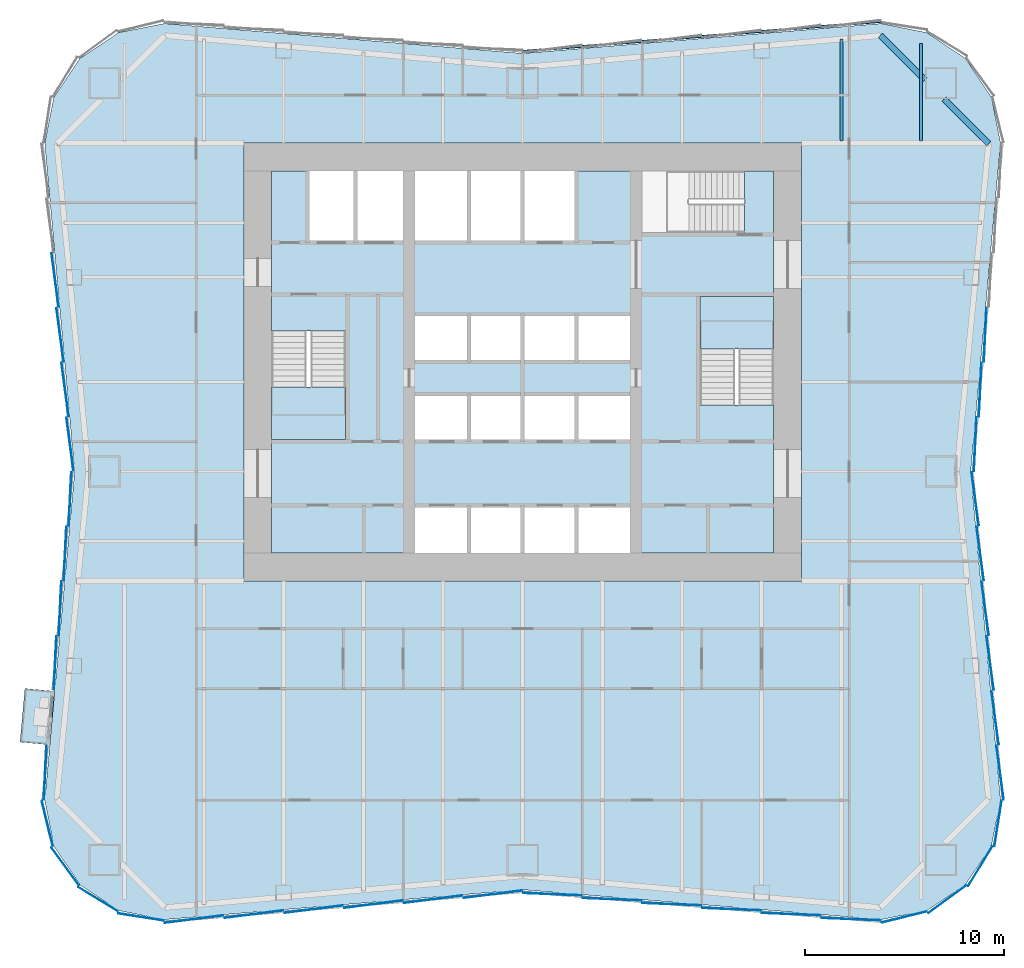
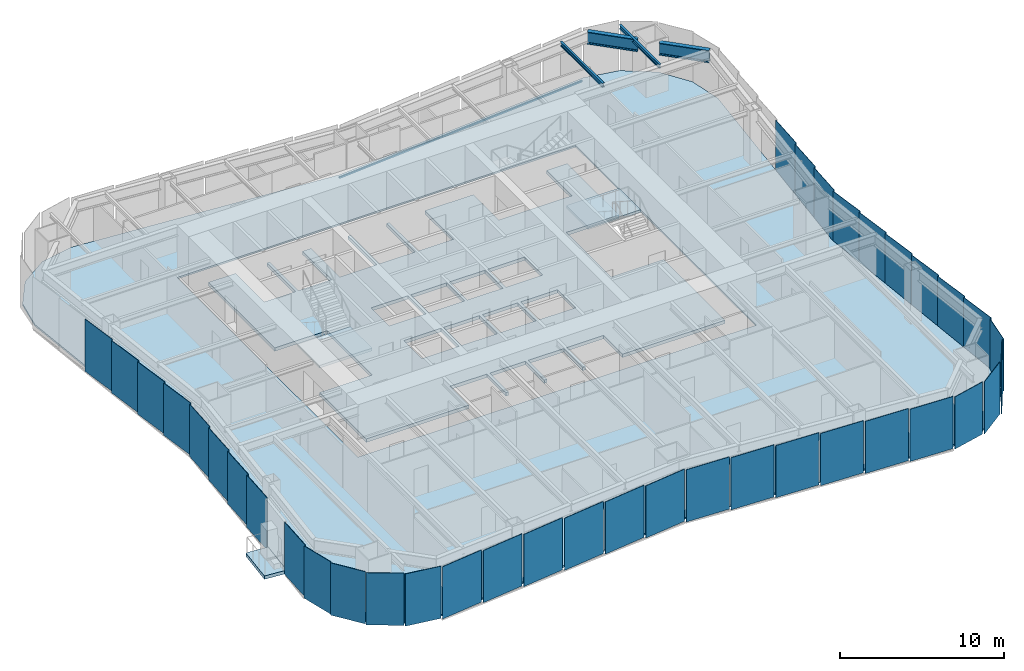
# One storey, part 2 of 9: 38 plates, 5 slabs, 4 beams, 1 member, 8 elements without a shape of their own.
"""IFC4 building model written with IfcOpenShell, lengths in metres."""

from ifc_helpers import new_model, si_unit, direction, frame, origin, origin_2d, place, context, subcontext, project, spatial, polyline, rectangle, i_section, outline, extrude, material, layer, layer_set, material_profile, profile_set, type_object, element, aggregate, save


model = new_model("IFC4")

# Units and contexts
model_context = context("Model", 3, precision=1e-05, world=origin(), true_north=direction((0.0, 1.0)))
body_context = subcontext(model_context, "Body", "Model", "MODEL_VIEW")
ifc_project = project(units=[si_unit("LENGTHUNIT", "METRE"), si_unit("AREAUNIT", "SQUARE_METRE"), si_unit("VOLUMEUNIT", "CUBIC_METRE"), si_unit("PLANEANGLEUNIT", "RADIAN"), si_unit("MASSUNIT", "GRAM", prefix="KILO")], contexts=[model_context])

# Site, building, storey
site_placement = place(None, origin())
site = spatial("IfcSite", under=ifc_project, at=site_placement, CompositionType="ELEMENT")
building_placement = place(site_placement, origin())
building = spatial("IfcBuilding", under=site, at=building_placement, Name="Verdant Reach Tower", CompositionType="ELEMENT")
storey_placement = place(building_placement, frame((0.0, 0.0, 34.0)))
storey = spatial("IfcBuildingStorey", under=building, at=storey_placement, Name="L07", CompositionType="ELEMENT", Elevation=34.0)

# Curtain wall, member
ifc_material_1 = material(Name="Anodised aluminium", Category="aluminium")
curtain_wall_type = type_object("IfcCurtainWallType", Name="EN-CW SYSTEM Z0", PredefinedType="NOTDEFINED", material=ifc_material_1)
curtain_wall_1_placement = place(storey_placement, origin())
curtain_wall_1 = element("IfcCurtainWall", 1, at=curtain_wall_1_placement, inside=storey, type_object=curtain_wall_type, Name="Curtain wall north, L07", PredefinedType="NOTDEFINED")
ifc_material_profile_1 = material_profile(ifc_material_1, rectangle(XDim=0.10009765625, YDim=0.1201171875, at=origin_2d()), Name="Transom 120x100")
ifc_profile_set_1 = profile_set([ifc_material_profile_1], Name="Anodised aluminium")
member_type = type_object("IfcMemberType", Name="EN-TRANSOM Z0", PredefinedType="USERDEFINED", material=ifc_profile_set_1)
member_placement = place(storey_placement, frame((17.975830078125, 45.097412109375, -0.2900390625), z_axis=(-0.996548656072, -0.083010698588, 0.0), x_axis=(0.083010698588, -0.996548656072, 0.0)))
member = element("IfcMember", 2, at=member_placement, type_object=member_type, Name="Transom north face part 1 1.1, L07", ObjectType="TRANSOM", PredefinedType="USERDEFINED", context=body_context, shape_type="SweptSolid", body=[
    extrude(rectangle(XDim=0.10009765625, YDim=0.1201171875, at=origin_2d()), origin(), (0.0, 0.0, 1.0), 18.00830078125),
])
aggregate(curtain_wall_1, [member])

# Beams
ifc_material_2 = material(Name="Steel S355", Category="steel")
ifc_material_profile_2 = material_profile(ifc_material_2, i_section(OverallWidth=0.14990234375, OverallDepth=0.300048828125, WebThickness=0.007080078125, FlangeThickness=0.0107421875, FilletRadius=0.014892578125, at=origin_2d()), Name="IPE 300")
ifc_profile_set_2 = profile_set([ifc_material_profile_2], Name="Steel S355")
beam_type_1 = type_object("IfcBeamType", Name="ST-JOIST-IPE300", PredefinedType="JOIST", material=ifc_profile_set_2)
beam_1_placement = place(storey_placement, frame((16.0, 39.10009765625, 3.719970703125), z_axis=(0.0, 1.0, 0.0), x_axis=(-1.0, 0.0, 0.0)))
element("IfcBeam", 3, at=beam_1_placement, inside=storey, type_object=beam_type_1, Name="Floor joist, L07", PredefinedType="JOIST", context=body_context, shape_type="SweptSolid", body=[
    extrude(i_section(OverallWidth=0.14990234375, OverallDepth=0.300048828125, WebThickness=0.007080078125, FlangeThickness=0.0107421875, FilletRadius=0.014892578125, at=origin_2d()), origin(), (0.0, 0.0, 1.0), 5.131103515625),
])
beam_2_placement = place(storey_placement, frame((20.0, 39.10009765625, 3.719970703125), z_axis=(0.0, 1.0, 0.0), x_axis=(-1.0, 0.0, 0.0)))
element("IfcBeam", 4, at=beam_2_placement, inside=storey, type_object=beam_type_1, Name="Floor joist, L07", PredefinedType="JOIST", context=body_context, shape_type="SweptSolid", body=[
    extrude(i_section(OverallWidth=0.14990234375, OverallDepth=0.300048828125, WebThickness=0.007080078125, FlangeThickness=0.0107421875, FilletRadius=0.014892578125, at=origin_2d()), origin(), (0.0, 0.0, 1.0), 4.890380859375),
])
ifc_material_profile_3 = material_profile(ifc_material_2, i_section(OverallWidth=0.302001953125, OverallDepth=0.909912109375, WebThickness=0.02099609375, FlangeThickness=0.0400390625, FilletRadius=0.030029296875, at=origin_2d()), Name="HEM 900")
ifc_profile_set_3 = profile_set([ifc_material_profile_3], Name="Steel S355")
beam_type_2 = type_object("IfcBeamType", Name="ST-SPANDREL-HEM900", PredefinedType="SPANDREL", material=ifc_profile_set_3)
beam_3_placement = place(storey_placement, frame((17.9658203125, 44.39501953125, 3.4150390625), z_axis=(0.707222697162, -0.706990846206, 0.0), x_axis=(0.706990846206, 0.707222697162, 0.0)))
element("IfcBeam", 5, at=beam_3_placement, inside=storey, type_object=beam_type_2, Name="Edge beam, L07", PredefinedType="SPANDREL", context=body_context, shape_type="SweptSolid", body=[
    extrude(i_section(OverallWidth=0.302001953125, OverallDepth=0.909912109375, WebThickness=0.02099609375, FlangeThickness=0.0400390625, FilletRadius=0.030029296875, at=origin_2d()), origin(), (0.0, 0.0, 1.0), 3.158935546875),
])
beam_4_placement = place(storey_placement, frame((21.161865234375, 41.199951171875, 3.4150390625), z_axis=(0.70722277322, -0.706990770123, 0.0), x_axis=(0.706990770123, 0.70722277322, 0.0)))
element("IfcBeam", 6, at=beam_4_placement, inside=storey, type_object=beam_type_2, Name="Edge beam, L07", PredefinedType="SPANDREL", context=body_context, shape_type="SweptSolid", body=[
    extrude(i_section(OverallWidth=0.302001953125, OverallDepth=0.909912109375, WebThickness=0.02099609375, FlangeThickness=0.0400390625, FilletRadius=0.030029296875, at=origin_2d()), origin(), (0.0, 0.0, 1.0), 3.156982421875),
])

# Stair, slab
ifc_material_3 = material(Name="Concrete C40/50", Category="concrete")
stair_type = type_object("IfcStairType", Name="CO-STAIR", PredefinedType="HALF_TURN_STAIR", material=ifc_material_3)
stair_1_placement = place(storey_placement, origin())
stair_1 = element("IfcStair", 7, at=stair_1_placement, inside=storey, type_object=stair_type, Name="L07 Exit stair 1", PredefinedType="HALF_TURN_STAIR")
ifc_layer_1 = layer(ifc_material_3, 0.199951171875)
ifc_layer_set_1 = layer_set([ifc_layer_1], Name="CO-STAIR-LANDING")
slab_type_1 = type_object("IfcSlabType", Name="CO-STAIR-LANDING", PredefinedType="LANDING", material=ifc_layer_set_1)
slab_1_placement = place(storey_placement, frame((0.0, 0.0, 1.800048828125)))
slab_1 = element("IfcSlab", 8, at=slab_1_placement, type_object=slab_type_1, Name="ST-1 landing 1", PredefinedType="LANDING", context=body_context, shape_type="SweptSolid", body=[
    extrude(outline(polyline([(-12.60009765625, 26.75), (-12.60009765625, 24.10009765625), (-8.89990234375, 24.10009765625), (-8.89990234375, 26.75), (-12.60009765625, 26.75)])), origin(), (0.0, 0.0, 1.0), 0.199951171875),
])
aggregate(stair_1, [slab_1])

stair_2_placement = place(storey_placement, origin())
stair_2 = element("IfcStair", 9, at=stair_2_placement, inside=storey, type_object=stair_type, Name="L07 Exit stair 2", PredefinedType="HALF_TURN_STAIR")
slab_2_placement = place(storey_placement, frame((0.0, 0.0, 1.800048828125)))
slab_2 = element("IfcSlab", 10, at=slab_2_placement, type_object=slab_type_1, Name="ST-2 landing 1", PredefinedType="LANDING", context=body_context, shape_type="SweptSolid", body=[
    extrude(outline(polyline([(12.60009765625, 28.64990234375), (12.60009765625, 31.300048828125), (8.89990234375, 31.300048828125), (8.89990234375, 28.64990234375), (12.60009765625, 28.64990234375)])), origin(), (0.0, 0.0, 1.0), 0.199951171875),
])
aggregate(stair_2, [slab_2])

# Slab
ifc_material_4 = material(Name="Concrete C35/45", Category="concrete")
ifc_layer_2 = layer(ifc_material_4, 0.25)
ifc_layer_set_2 = layer_set([ifc_layer_2], Name="EN-BALCONY SLAB")
slab_type_2 = type_object("IfcSlabType", Name="EN-BALCONY SLAB", PredefinedType="FLOOR", material=ifc_layer_set_2)
slab_3_placement = place(storey_placement, frame((0.0, 0.0, -0.25)))
element("IfcSlab", 11, at=slab_3_placement, inside=storey, type_object=slab_type_2, Name="Balcony slab 1, L07", PredefinedType="FLOOR", context=body_context, shape_type="SweptSolid", body=[
    extrude(outline(polyline([(-23.502685546875, 11.47021484375), (-23.747314453125, 8.77978515625), (-25.2412109375, 8.915771484375), (-24.99658203125, 11.60595703125), (-23.502685546875, 11.47021484375)])), origin(), (0.0, 0.0, 1.0), 0.25),
])

# Curtain wall, plates
curtain_wall_2_placement = place(storey_placement, origin())
curtain_wall_2 = element("IfcCurtainWall", 12, at=curtain_wall_2_placement, inside=storey, type_object=curtain_wall_type, Name="Curtain wall south-east corner, L07", PredefinedType="NOTDEFINED")
ifc_material_5 = material(Name="Tinted glass with champagne spandrel", Category="glass")
ifc_layer_3 = layer(ifc_material_5, 0.031982421875)
ifc_layer_set_3 = layer_set([ifc_layer_3], Name="EN-PANEL CHAMPAGNE")
plate_type_1 = type_object("IfcPlateType", Name="EN-PANEL CHAMPAGNE", PredefinedType="CURTAIN_PANEL", material=ifc_layer_set_3)
plate_1_placement = place(storey_placement, frame((21.32373046875, 1.025390625, -0.22998046875), z_axis=(0.0, 0.0, 1.0), x_axis=(0.807456745624, 0.589926778461, 0.0)))
plate_1 = element("IfcPlate", 13, at=plate_1_placement, type_object=plate_type_1, Name="Glass panel south-east corner 2.1, L07", PredefinedType="CURTAIN_PANEL", context=body_context, shape_type="SweptSolid", body=[
    extrude(rectangle(XDim=2.32421875, YDim=0.031982421875, at=origin_2d()), origin(), (0.0, 0.0, 1.0), 3.8798828125),
])
plate_2_placement = place(storey_placement, frame((22.974609375, 2.67626953125, -0.22998046875), z_axis=(0.0, 0.0, 1.0), x_axis=(0.520291583159, 0.853988681713, 0.0)))
plate_2 = element("IfcPlate", 14, at=plate_2_placement, type_object=plate_type_1, Name="Glass panel south-east corner 3.1, L07", PredefinedType="CURTAIN_PANEL", context=body_context, shape_type="SweptSolid", body=[
    extrude(rectangle(XDim=2.32421875, YDim=0.031982421875, at=origin_2d()), origin(), (0.0, 0.0, 1.0), 3.8798828125),
])
plate_3_placement = place(storey_placement, frame((23.86767578125, 4.830078125, -0.22998046875), z_axis=(0.0, 0.0, 1.0), x_axis=(0.154210737778, 0.988037979206, 0.0)))
plate_3 = element("IfcPlate", 15, at=plate_3_placement, type_object=plate_type_1, Name="Glass panel south-east corner 4.1, L07", PredefinedType="CURTAIN_PANEL", context=body_context, shape_type="SweptSolid", body=[
    extrude(rectangle(XDim=2.31884765625, YDim=0.031982421875, at=origin_2d()), origin(), (0.0, 0.0, 1.0), 3.8798828125),
])

curtain_wall_3_placement = place(storey_placement, origin())
curtain_wall_3 = element("IfcCurtainWall", 16, at=curtain_wall_3_placement, inside=storey, type_object=curtain_wall_type, Name="Curtain wall east, L07", PredefinedType="NOTDEFINED")
plate_4_placement = place(storey_placement, frame((23.974609375, 7.376953125, -0.22998046875), z_axis=(0.0, 0.0, 1.0), x_axis=(-0.131792939527, 0.991277267514, 0.0)))
plate_4 = element("IfcPlate", 17, at=plate_4_placement, type_object=plate_type_1, Name="Glass panel east face part 1 1.1, L07", PredefinedType="CURTAIN_PANEL", context=body_context, shape_type="SweptSolid", body=[
    extrude(rectangle(XDim=2.7197265625, YDim=0.031982421875, at=origin_2d()), origin(), (0.0, 0.0, 1.0), 3.8798828125),
])
plate_5_placement = place(storey_placement, frame((23.724609375, 10.134033203125, -0.22998046875), z_axis=(0.0, 0.0, 1.0), x_axis=(-0.132160009881, 0.99122839537, 0.0)))
plate_5 = element("IfcPlate", 18, at=plate_5_placement, type_object=plate_type_1, Name="Glass panel east face part 1 2.1, L07", PredefinedType="CURTAIN_PANEL", context=body_context, shape_type="SweptSolid", body=[
    extrude(rectangle(XDim=2.705322265625, YDim=0.031982421875, at=origin_2d()), origin(), (0.0, 0.0, 1.0), 3.8798828125),
])
plate_6_placement = place(storey_placement, frame((22.974609375, 26.615966796875, -0.22998046875), z_axis=(0.0, 0.0, 1.0), x_axis=(0.04875265175, 0.998810882473, 0.0)))
plate_6 = element("IfcPlate", 19, at=plate_6_placement, type_object=plate_type_1, Name="Glass panel east face part 2 2.1, L07", PredefinedType="CURTAIN_PANEL", context=body_context, shape_type="SweptSolid", body=[
    extrude(rectangle(XDim=2.705322265625, YDim=0.031982421875, at=origin_2d()), origin(), (0.0, 0.0, 1.0), 3.8798828125),
])
plate_7_placement = place(storey_placement, frame((23.224609375, 29.365966796875, -0.22998046875), z_axis=(0.0, 0.0, 1.0), x_axis=(0.04875265175, 0.998810882473, 0.0)))
plate_7 = element("IfcPlate", 20, at=plate_7_placement, type_object=plate_type_1, Name="Glass panel east face part 2 3.1, L07", PredefinedType="CURTAIN_PANEL", context=body_context, shape_type="SweptSolid", body=[
    extrude(rectangle(XDim=2.705322265625, YDim=0.031982421875, at=origin_2d()), origin(), (0.0, 0.0, 1.0), 3.8798828125),
])

curtain_wall_4_placement = place(storey_placement, origin())
curtain_wall_4 = element("IfcCurtainWall", 21, at=curtain_wall_4_placement, inside=storey, type_object=curtain_wall_type, Name="Curtain wall west, L07", PredefinedType="NOTDEFINED")
plate_8_placement = place(storey_placement, frame((-23.224609375, 29.365966796875, -0.22998046875), z_axis=(0.0, 0.0, 1.0), x_axis=(0.132160009881, -0.99122839537, 0.0)))
plate_8 = element("IfcPlate", 22, at=plate_8_placement, type_object=plate_type_1, Name="Glass panel west face part 1 4.1, L07", PredefinedType="CURTAIN_PANEL", context=body_context, shape_type="SweptSolid", body=[
    extrude(rectangle(XDim=2.705322265625, YDim=0.031982421875, at=origin_2d()), origin(), (0.0, 0.0, 1.0), 3.8798828125),
])
plate_9_placement = place(storey_placement, frame((-22.974609375, 26.615966796875, -0.22998046875), z_axis=(0.0, 0.0, 1.0), x_axis=(0.132160009881, -0.99122839537, 0.0)))
plate_9 = element("IfcPlate", 23, at=plate_9_placement, type_object=plate_type_1, Name="Glass panel west face part 1 5.1, L07", PredefinedType="CURTAIN_PANEL", context=body_context, shape_type="SweptSolid", body=[
    extrude(rectangle(XDim=2.705322265625, YDim=0.031982421875, at=origin_2d()), origin(), (0.0, 0.0, 1.0), 3.8798828125),
])
plate_10_placement = place(storey_placement, frame((-22.724853515625, 23.870361328125, -0.22998046875), z_axis=(0.0, 0.0, 1.0), x_axis=(0.132307913434, -0.991208664229, 0.0)))
plate_10 = element("IfcPlate", 24, at=plate_10_placement, type_object=plate_type_1, Name="Glass panel west face part 1 6.1, L07", PredefinedType="CURTAIN_PANEL", context=body_context, shape_type="SweptSolid", body=[
    extrude(rectangle(XDim=2.6962890625, YDim=0.031982421875, at=origin_2d()), origin(), (0.0, 0.0, 1.0), 3.8798828125),
])
plate_11_placement = place(storey_placement, frame((-23.974609375, 7.376953125, -0.22998046875), z_axis=(0.0, 0.0, 1.0), x_axis=(-0.048382779248, -0.998828867561, 0.0)))
plate_11 = element("IfcPlate", 25, at=plate_11_placement, type_object=plate_type_1, Name="Glass panel west face part 2 6.1, L07", PredefinedType="CURTAIN_PANEL", context=body_context, shape_type="SweptSolid", body=[
    extrude(rectangle(XDim=2.7197265625, YDim=0.031982421875, at=origin_2d()), origin(), (0.0, 0.0, 1.0), 3.8798828125),
])

# Curtain wall, plate
curtain_wall_5_placement = place(storey_placement, origin())
curtain_wall_5 = element("IfcCurtainWall", 26, at=curtain_wall_5_placement, inside=storey, type_object=curtain_wall_type, Name="Curtain wall south-west corner, L07", PredefinedType="NOTDEFINED")
plate_12_placement = place(storey_placement, frame((-19.169921875, 0.13232421875, -0.22998046875), z_axis=(0.0, 0.0, 1.0), x_axis=(0.98803452381, -0.154232875093, 0.0)))
plate_12 = element("IfcPlate", 27, at=plate_12_placement, type_object=plate_type_1, Name="Glass panel south-west corner 4.1, L07", PredefinedType="CURTAIN_PANEL", context=body_context, shape_type="SweptSolid", body=[
    extrude(rectangle(XDim=2.318603515625, YDim=0.031982421875, at=origin_2d()), origin(), (0.0, 0.0, 1.0), 3.8798828125),
])

# Curtain wall, plates
curtain_wall_6_placement = place(storey_placement, origin())
curtain_wall_6 = element("IfcCurtainWall", 28, at=curtain_wall_6_placement, inside=storey, type_object=curtain_wall_type, Name="Curtain wall south, L07", PredefinedType="NOTDEFINED")
plate_13_placement = place(storey_placement, frame((-13.49169921875, 0.275390625, -0.22998046875), z_axis=(0.0, 0.0, 1.0), x_axis=(0.992194034542, 0.124703639961, 0.0)))
plate_13 = element("IfcPlate", 29, at=plate_13_placement, type_object=plate_type_1, Name="Glass panel south face part 1 2.1, L07", PredefinedType="CURTAIN_PANEL", context=body_context, shape_type="SweptSolid", body=[
    extrude(rectangle(XDim=2.954345703125, YDim=0.031982421875, at=origin_2d()), origin(), (0.0, 0.0, 1.0), 3.8798828125),
])
plate_14_placement = place(storey_placement, frame((-10.49169921875, 0.525390625, -0.22998046875), z_axis=(0.0, 0.0, 1.0), x_axis=(0.992194034542, 0.124703639961, 0.0)))
plate_14 = element("IfcPlate", 30, at=plate_14_placement, type_object=plate_type_1, Name="Glass panel south face part 1 3.1, L07", PredefinedType="CURTAIN_PANEL", context=body_context, shape_type="SweptSolid", body=[
    extrude(rectangle(XDim=2.954345703125, YDim=0.031982421875, at=origin_2d()), origin(), (0.0, 0.0, 1.0), 3.8798828125),
])
plate_15_placement = place(storey_placement, frame((-7.49169921875, 0.775390625, -0.22998046875), z_axis=(0.0, 0.0, 1.0), x_axis=(0.992194034542, 0.124703639961, 0.0)))
plate_15 = element("IfcPlate", 31, at=plate_15_placement, type_object=plate_type_1, Name="Glass panel south face part 1 4.1, L07", PredefinedType="CURTAIN_PANEL", context=body_context, shape_type="SweptSolid", body=[
    extrude(rectangle(XDim=2.954345703125, YDim=0.031982421875, at=origin_2d()), origin(), (0.0, 0.0, 1.0), 3.8798828125),
])
plate_16_placement = place(storey_placement, frame((10.49169921875, 0.525390625, -0.22998046875), z_axis=(0.0, 0.0, 1.0), x_axis=(0.999149202059, -0.041241629766, 0.0)))
plate_16 = element("IfcPlate", 32, at=plate_16_placement, type_object=plate_type_1, Name="Glass panel south face part 2 4.1, L07", PredefinedType="CURTAIN_PANEL", context=body_context, shape_type="SweptSolid", body=[
    extrude(rectangle(XDim=2.954345703125, YDim=0.031982421875, at=origin_2d()), origin(), (0.0, 0.0, 1.0), 3.8798828125),
])
plate_17_placement = place(storey_placement, frame((13.49169921875, 0.275390625, -0.22998046875), z_axis=(0.0, 0.0, 1.0), x_axis=(0.999149202059, -0.041241629766, 0.0)))
plate_17 = element("IfcPlate", 33, at=plate_17_placement, type_object=plate_type_1, Name="Glass panel south face part 2 5.1, L07", PredefinedType="CURTAIN_PANEL", context=body_context, shape_type="SweptSolid", body=[
    extrude(rectangle(XDim=2.954345703125, YDim=0.031982421875, at=origin_2d()), origin(), (0.0, 0.0, 1.0), 3.8798828125),
])

# Plate
ifc_material_6 = material(Name="Tinted glass with copper spandrel", Category="glass")
ifc_layer_4 = layer(ifc_material_6, 0.031982421875)
ifc_layer_set_4 = layer_set([ifc_layer_4], Name="EN-PANEL COPPER")
plate_type_2 = type_object("IfcPlateType", Name="EN-PANEL COPPER", PredefinedType="CURTAIN_PANEL", material=ifc_layer_set_4)
plate_18_placement = place(storey_placement, frame((23.474609375, 12.884033203125, -0.22998046875), z_axis=(0.0, 0.0, 1.0), x_axis=(-0.132160009881, 0.99122839537, 0.0)))
plate_18 = element("IfcPlate", 34, at=plate_18_placement, type_object=plate_type_2, Name="Glass panel east face part 1 3.1, L07", PredefinedType="CURTAIN_PANEL", context=body_context, shape_type="SweptSolid", body=[
    extrude(rectangle(XDim=2.705322265625, YDim=0.031982421875, at=origin_2d()), origin(), (0.0, 0.0, 1.0), 3.8798828125),
])

plate_19_placement = place(storey_placement, frame((23.224609375, 15.634033203125, -0.22998046875), z_axis=(0.0, 0.0, 1.0), x_axis=(-0.132160009881, 0.99122839537, 0.0)))
plate_19 = element("IfcPlate", 35, at=plate_19_placement, type_object=plate_type_2, Name="Glass panel east face part 1 4.1, L07", PredefinedType="CURTAIN_PANEL", context=body_context, shape_type="SweptSolid", body=[
    extrude(rectangle(XDim=2.705322265625, YDim=0.031982421875, at=origin_2d()), origin(), (0.0, 0.0, 1.0), 3.8798828125),
])

plate_20_placement = place(storey_placement, frame((-22.724853515625, 21.129638671875, -0.22998046875), z_axis=(0.0, 0.0, 1.0), x_axis=(-0.048901687644, -0.998803596782, 0.0)))
plate_20 = element("IfcPlate", 36, at=plate_20_placement, type_object=plate_type_2, Name="Glass panel west face part 2 1.1, L07", PredefinedType="CURTAIN_PANEL", context=body_context, shape_type="SweptSolid", body=[
    extrude(rectangle(XDim=2.6962890625, YDim=0.031982421875, at=origin_2d()), origin(), (0.0, 0.0, 1.0), 3.8798828125),
])

plate_21_placement = place(storey_placement, frame((-22.974609375, 18.384033203125, -0.22998046875), z_axis=(0.0, 0.0, 1.0), x_axis=(-0.04875265175, -0.998810882473, 0.0)))
plate_21 = element("IfcPlate", 37, at=plate_21_placement, type_object=plate_type_2, Name="Glass panel west face part 2 2.1, L07", PredefinedType="CURTAIN_PANEL", context=body_context, shape_type="SweptSolid", body=[
    extrude(rectangle(XDim=2.705322265625, YDim=0.031982421875, at=origin_2d()), origin(), (0.0, 0.0, 1.0), 3.8798828125),
])

plate_22_placement = place(storey_placement, frame((-23.86767578125, 4.830078125, -0.22998046875), z_axis=(0.0, 0.0, 1.0), x_axis=(0.236346786246, -0.97166876899, 0.0)))
plate_22 = element("IfcPlate", 38, at=plate_22_placement, type_object=plate_type_2, Name="Glass panel south-west corner 1.1, L07", PredefinedType="CURTAIN_PANEL", context=body_context, shape_type="SweptSolid", body=[
    extrude(rectangle(XDim=2.31884765625, YDim=0.031982421875, at=origin_2d()), origin(), (0.0, 0.0, 1.0), 3.8798828125),
])

plate_23_placement = place(storey_placement, frame((-4.49169921875, 1.025390625, -0.22998046875), z_axis=(0.0, 0.0, 1.0), x_axis=(0.992194034542, 0.124703639961, 0.0)))
plate_23 = element("IfcPlate", 39, at=plate_23_placement, type_object=plate_type_2, Name="Glass panel south face part 1 5.1, L07", PredefinedType="CURTAIN_PANEL", context=body_context, shape_type="SweptSolid", body=[
    extrude(rectangle(XDim=2.954345703125, YDim=0.031982421875, at=origin_2d()), origin(), (0.0, 0.0, 1.0), 3.8798828125),
])

plate_24_placement = place(storey_placement, frame((-1.495849609375, 1.275146484375, -0.22998046875), z_axis=(0.0, 0.0, 1.0), x_axis=(0.992179679439, 0.124817802047, 0.0)))
plate_24 = element("IfcPlate", 40, at=plate_24_placement, type_object=plate_type_2, Name="Glass panel south face part 1 6.1, L07", PredefinedType="CURTAIN_PANEL", context=body_context, shape_type="SweptSolid", body=[
    extrude(rectangle(XDim=2.946044921875, YDim=0.031982421875, at=origin_2d()), origin(), (0.0, 0.0, 1.0), 3.8798828125),
])

plate_25_placement = place(storey_placement, frame((16.498779296875, 0.025146484375, -0.22998046875), z_axis=(0.0, 0.0, 1.0), x_axis=(0.999162442933, -0.040919587398, 0.0)))
plate_25 = element("IfcPlate", 41, at=plate_25_placement, type_object=plate_type_2, Name="Glass panel south face part 2 6.1, L07", PredefinedType="CURTAIN_PANEL", context=body_context, shape_type="SweptSolid", body=[
    extrude(rectangle(XDim=2.96826171875, YDim=0.031982421875, at=origin_2d()), origin(), (0.0, 0.0, 1.0), 3.8798828125),
])

ifc_material_7 = material(Name="Tinted glass with dark bronze spandrel", Category="glass")
ifc_layer_5 = layer(ifc_material_7, 0.031982421875)
ifc_layer_set_5 = layer_set([ifc_layer_5], Name="EN-PANEL DARK")
plate_type_3 = type_object("IfcPlateType", Name="EN-PANEL DARK", PredefinedType="CURTAIN_PANEL", material=ifc_layer_set_5)
plate_26_placement = place(storey_placement, frame((19.169921875, 0.13232421875, -0.22998046875), z_axis=(0.0, 0.0, 1.0), x_axis=(0.97166347331, 0.236368556782, 0.0)))
plate_26 = element("IfcPlate", 42, at=plate_26_placement, type_object=plate_type_3, Name="Glass panel south-east corner 1.1, L07", PredefinedType="CURTAIN_PANEL", context=body_context, shape_type="SweptSolid", body=[
    extrude(rectangle(XDim=2.318603515625, YDim=0.031982421875, at=origin_2d()), origin(), (0.0, 0.0, 1.0), 3.8798828125),
])

aggregate(curtain_wall_2, [plate_26, plate_1, plate_2, plate_3])

plate_27_placement = place(storey_placement, frame((22.974609375, 18.384033203125, -0.22998046875), z_axis=(0.0, 0.0, 1.0), x_axis=(-0.132160009881, 0.99122839537, 0.0)))
plate_27 = element("IfcPlate", 43, at=plate_27_placement, type_object=plate_type_3, Name="Glass panel east face part 1 5.1, L07", PredefinedType="CURTAIN_PANEL", context=body_context, shape_type="SweptSolid", body=[
    extrude(rectangle(XDim=2.705322265625, YDim=0.031982421875, at=origin_2d()), origin(), (0.0, 0.0, 1.0), 3.8798828125),
])

plate_28_placement = place(storey_placement, frame((22.724853515625, 21.129638671875, -0.22998046875), z_axis=(0.0, 0.0, 1.0), x_axis=(-0.132307913434, 0.991208664229, 0.0)))
plate_28 = element("IfcPlate", 44, at=plate_28_placement, type_object=plate_type_3, Name="Glass panel east face part 1 6.1, L07", PredefinedType="CURTAIN_PANEL", context=body_context, shape_type="SweptSolid", body=[
    extrude(rectangle(XDim=2.6962890625, YDim=0.031982421875, at=origin_2d()), origin(), (0.0, 0.0, 1.0), 3.8798828125),
])

plate_29_placement = place(storey_placement, frame((22.724853515625, 23.870361328125, -0.22998046875), z_axis=(0.0, 0.0, 1.0), x_axis=(0.048901687644, 0.998803596782, 0.0)))
plate_29 = element("IfcPlate", 45, at=plate_29_placement, type_object=plate_type_3, Name="Glass panel east face part 2 1.1, L07", PredefinedType="CURTAIN_PANEL", context=body_context, shape_type="SweptSolid", body=[
    extrude(rectangle(XDim=2.6962890625, YDim=0.031982421875, at=origin_2d()), origin(), (0.0, 0.0, 1.0), 3.8798828125),
])

aggregate(curtain_wall_3, [plate_4, plate_5, plate_18, plate_19, plate_27, plate_28, plate_29, plate_6, plate_7])

plate_30_placement = place(storey_placement, frame((-23.474609375, 32.115966796875, -0.22998046875), z_axis=(0.0, 0.0, 1.0), x_axis=(0.132160009881, -0.99122839537, 0.0)))
plate_30 = element("IfcPlate", 46, at=plate_30_placement, type_object=plate_type_3, Name="Glass panel west face part 1 3.1, L07", PredefinedType="CURTAIN_PANEL", context=body_context, shape_type="SweptSolid", body=[
    extrude(rectangle(XDim=2.705322265625, YDim=0.031982421875, at=origin_2d()), origin(), (0.0, 0.0, 1.0), 3.8798828125),
])

plate_31_placement = place(storey_placement, frame((-23.224609375, 15.634033203125, -0.22998046875), z_axis=(0.0, 0.0, 1.0), x_axis=(-0.04875265175, -0.998810882473, 0.0)))
plate_31 = element("IfcPlate", 47, at=plate_31_placement, type_object=plate_type_3, Name="Glass panel west face part 2 3.1, L07", PredefinedType="CURTAIN_PANEL", context=body_context, shape_type="SweptSolid", body=[
    extrude(rectangle(XDim=2.705322265625, YDim=0.031982421875, at=origin_2d()), origin(), (0.0, 0.0, 1.0), 3.8798828125),
])

plate_32_placement = place(storey_placement, frame((-23.474609375, 12.884033203125, -0.22998046875), z_axis=(0.0, 0.0, 1.0), x_axis=(-0.04875265175, -0.998810882473, 0.0)))
plate_32 = element("IfcPlate", 48, at=plate_32_placement, type_object=plate_type_3, Name="Glass panel west face part 2 4.1, L07", PredefinedType="CURTAIN_PANEL", context=body_context, shape_type="SweptSolid", body=[
    extrude(rectangle(XDim=2.705322265625, YDim=0.031982421875, at=origin_2d()), origin(), (0.0, 0.0, 1.0), 3.8798828125),
])

aggregate(curtain_wall_4, [plate_30, plate_8, plate_9, plate_10, plate_20, plate_21, plate_31, plate_32, plate_11])

plate_33_placement = place(storey_placement, frame((-22.974609375, 2.67626953125, -0.22998046875), z_axis=(0.0, 0.0, 1.0), x_axis=(0.589926778461, -0.807456745624, 0.0)))
plate_33 = element("IfcPlate", 49, at=plate_33_placement, type_object=plate_type_3, Name="Glass panel south-west corner 2.1, L07", PredefinedType="CURTAIN_PANEL", context=body_context, shape_type="SweptSolid", body=[
    extrude(rectangle(XDim=2.32421875, YDim=0.031982421875, at=origin_2d()), origin(), (0.0, 0.0, 1.0), 3.8798828125),
])

plate_34_placement = place(storey_placement, frame((-21.32373046875, 1.025390625, -0.22998046875), z_axis=(0.0, 0.0, 1.0), x_axis=(0.853988681713, -0.520291583159, 0.0)))
plate_34 = element("IfcPlate", 50, at=plate_34_placement, type_object=plate_type_3, Name="Glass panel south-west corner 3.1, L07", PredefinedType="CURTAIN_PANEL", context=body_context, shape_type="SweptSolid", body=[
    extrude(rectangle(XDim=2.32421875, YDim=0.031982421875, at=origin_2d()), origin(), (0.0, 0.0, 1.0), 3.8798828125),
])

aggregate(curtain_wall_5, [plate_22, plate_33, plate_34, plate_12])

plate_35_placement = place(storey_placement, frame((-16.498779296875, 0.025146484375, -0.22998046875), z_axis=(0.0, 0.0, 1.0), x_axis=(0.992234176789, 0.124383835008, 0.0)))
plate_35 = element("IfcPlate", 51, at=plate_35_placement, type_object=plate_type_3, Name="Glass panel south face part 1 1.1, L07", PredefinedType="CURTAIN_PANEL", context=body_context, shape_type="SweptSolid", body=[
    extrude(rectangle(XDim=2.96826171875, YDim=0.031982421875, at=origin_2d()), origin(), (0.0, 0.0, 1.0), 3.8798828125),
])

plate_36_placement = place(storey_placement, frame((1.495849609375, 1.275146484375, -0.22998046875), z_axis=(0.0, 0.0, 1.0), x_axis=(0.999144450138, -0.041356592674, 0.0)))
plate_36 = element("IfcPlate", 52, at=plate_36_placement, type_object=plate_type_3, Name="Glass panel south face part 2 1.1, L07", PredefinedType="CURTAIN_PANEL", context=body_context, shape_type="SweptSolid", body=[
    extrude(rectangle(XDim=2.946044921875, YDim=0.031982421875, at=origin_2d()), origin(), (0.0, 0.0, 1.0), 3.8798828125),
])

plate_37_placement = place(storey_placement, frame((4.49169921875, 1.025390625, -0.22998046875), z_axis=(0.0, 0.0, 1.0), x_axis=(0.999149202059, -0.041241629766, 0.0)))
plate_37 = element("IfcPlate", 53, at=plate_37_placement, type_object=plate_type_3, Name="Glass panel south face part 2 2.1, L07", PredefinedType="CURTAIN_PANEL", context=body_context, shape_type="SweptSolid", body=[
    extrude(rectangle(XDim=2.954345703125, YDim=0.031982421875, at=origin_2d()), origin(), (0.0, 0.0, 1.0), 3.8798828125),
])

plate_38_placement = place(storey_placement, frame((7.49169921875, 0.775390625, -0.22998046875), z_axis=(0.0, 0.0, 1.0), x_axis=(0.999149202059, -0.041241629766, 0.0)))
plate_38 = element("IfcPlate", 54, at=plate_38_placement, type_object=plate_type_3, Name="Glass panel south face part 2 3.1, L07", PredefinedType="CURTAIN_PANEL", context=body_context, shape_type="SweptSolid", body=[
    extrude(rectangle(XDim=2.954345703125, YDim=0.031982421875, at=origin_2d()), origin(), (0.0, 0.0, 1.0), 3.8798828125),
])

aggregate(curtain_wall_6, [plate_35, plate_13, plate_14, plate_15, plate_23, plate_24, plate_36, plate_37, plate_38, plate_16, plate_17, plate_25])

# Slabs
ifc_material_8 = material(Name="Concrete C35/45", Category="concrete")
ifc_layer_6 = layer(ifc_material_8, 0.1298828125)
ifc_layer_set_6 = layer_set([ifc_layer_6], Name="ST-SLAB-130")
slab_type_3 = type_object("IfcSlabType", Name="ST-SLAB-130", PredefinedType="FLOOR", material=ifc_layer_set_6)
slab_4_placement = place(storey_placement, frame((0.0, 0.0, -0.1298828125)))
element("IfcSlab", 55, at=slab_4_placement, inside=storey, type_object=slab_type_3, Name="Floor slab L07", PredefinedType="FLOOR", context=body_context, shape_type="SweptSolid", body=[
    extrude(outline(polyline([(0.0, 1.5), (-18.0, 0.0), (-20.296142578125, 0.456787109375), (-22.24267578125, 1.75732421875), (-23.543212890625, 3.703857421875), (-24.0, 6.0), (-22.5, 22.5), (-24.0, 39.0), (-23.543212890625, 41.296142578125), (-22.24267578125, 43.24267578125), (-20.296142578125, 44.543212890625), (-18.0, 45.0), (0.0, 43.5), (18.0, 45.0), (20.296142578125, 44.543212890625), (22.24267578125, 43.24267578125), (23.543212890625, 41.296142578125), (24.0, 39.0), (22.5, 22.5), (24.0, 6.0), (23.543212890625, 3.703857421875), (22.24267578125, 1.75732421875), (20.296142578125, 0.456787109375), (18.0, 0.0), (0.0, 1.5)]), holes=[polyline([(14.0, 39.0), (-14.0, 39.0), (-14.0, 17.0), (14.0, 17.0), (14.0, 39.0)])]), origin(), (0.0, 0.0, 1.0), 0.1298828125),
])
ifc_layer_7 = layer(ifc_material_8, 0.25)
ifc_layer_set_7 = layer_set([ifc_layer_7], Name="ST-SLAB-250")
slab_type_4 = type_object("IfcSlabType", Name="ST-SLAB-250", PredefinedType="FLOOR", material=ifc_layer_set_7)
slab_5_placement = place(storey_placement, frame((0.0, 0.0, -0.25)))
element("IfcSlab", 56, at=slab_5_placement, inside=storey, type_object=slab_type_4, Name="Core floor slab L07", PredefinedType="FLOOR", context=body_context, shape_type="SweptSolid", body=[
    extrude(outline(polyline([(12.60009765625, 18.39990234375), (5.39990234375, 18.39990234375), (5.39990234375, 20.699951171875), (2.800048828125, 20.699951171875), (2.800048828125, 18.39990234375), (2.60009765625, 18.39990234375), (2.60009765625, 20.699951171875), (0.10009765625, 20.699951171875), (0.10009765625, 18.39990234375), (-0.10009765625, 18.39990234375), (-0.10009765625, 20.699951171875), (-2.60009765625, 20.699951171875), (-2.60009765625, 18.39990234375), (-2.800048828125, 18.39990234375), (-2.800048828125, 20.699951171875), (-5.39990234375, 20.699951171875), (-5.39990234375, 18.39990234375), (-12.60009765625, 18.39990234375), (-12.60009765625, 24.10009765625), (-8.89990234375, 24.10009765625), (-8.89990234375, 29.548095703125), (-12.60009765625, 29.548095703125), (-12.60009765625, 37.60009765625), (-10.699951171875, 37.60009765625), (-10.699951171875, 34.10009765625), (-8.5, 34.10009765625), (-8.5, 37.60009765625), (-8.300048828125, 37.60009765625), (-8.300048828125, 34.10009765625), (-6.0, 34.10009765625), (-6.0, 37.60009765625), (-5.39990234375, 37.60009765625), (-5.39990234375, 34.10009765625), (-2.800048828125, 34.10009765625), (-2.800048828125, 37.60009765625), (-2.60009765625, 37.60009765625), (-2.60009765625, 34.10009765625), (-0.10009765625, 34.10009765625), (-0.10009765625, 37.60009765625), (0.10009765625, 37.60009765625), (0.10009765625, 34.10009765625), (2.60009765625, 34.10009765625), (2.60009765625, 37.60009765625), (6.0, 37.60009765625), (6.0, 34.5), (11.14794921875, 34.5), (11.14794921875, 37.60009765625), (12.60009765625, 37.60009765625), (12.60009765625, 31.300048828125), (8.89990234375, 31.300048828125), (8.89990234375, 25.85205078125), (12.60009765625, 25.85205078125), (12.60009765625, 18.39990234375)]), holes=[polyline([(-2.800048828125, 24.10009765625), (-2.800048828125, 26.300048828125), (-5.39990234375, 26.300048828125), (-5.39990234375, 24.10009765625), (-2.800048828125, 24.10009765625)]), polyline([(-2.60009765625, 24.10009765625), (-0.10009765625, 24.10009765625), (-0.10009765625, 26.300048828125), (-2.60009765625, 26.300048828125), (-2.60009765625, 24.10009765625)]), polyline([(-2.800048828125, 28.10009765625), (-2.800048828125, 30.300048828125), (-5.39990234375, 30.300048828125), (-5.39990234375, 28.10009765625), (-2.800048828125, 28.10009765625)]), polyline([(-0.10009765625, 28.10009765625), (-0.10009765625, 30.300048828125), (-2.60009765625, 30.300048828125), (-2.60009765625, 28.10009765625), (-0.10009765625, 28.10009765625)]), polyline([(2.60009765625, 24.10009765625), (2.60009765625, 26.300048828125), (0.10009765625, 26.300048828125), (0.10009765625, 24.10009765625), (2.60009765625, 24.10009765625)]), polyline([(2.800048828125, 24.10009765625), (5.39990234375, 24.10009765625), (5.39990234375, 26.300048828125), (2.800048828125, 26.300048828125), (2.800048828125, 24.10009765625)]), polyline([(2.60009765625, 28.10009765625), (2.60009765625, 30.300048828125), (0.10009765625, 30.300048828125), (0.10009765625, 28.10009765625), (2.60009765625, 28.10009765625)]), polyline([(5.39990234375, 28.10009765625), (5.39990234375, 30.300048828125), (2.800048828125, 30.300048828125), (2.800048828125, 28.10009765625), (5.39990234375, 28.10009765625)])]), origin(), (0.0, 0.0, 1.0), 0.25),
])

save(model, "model.ifc")
